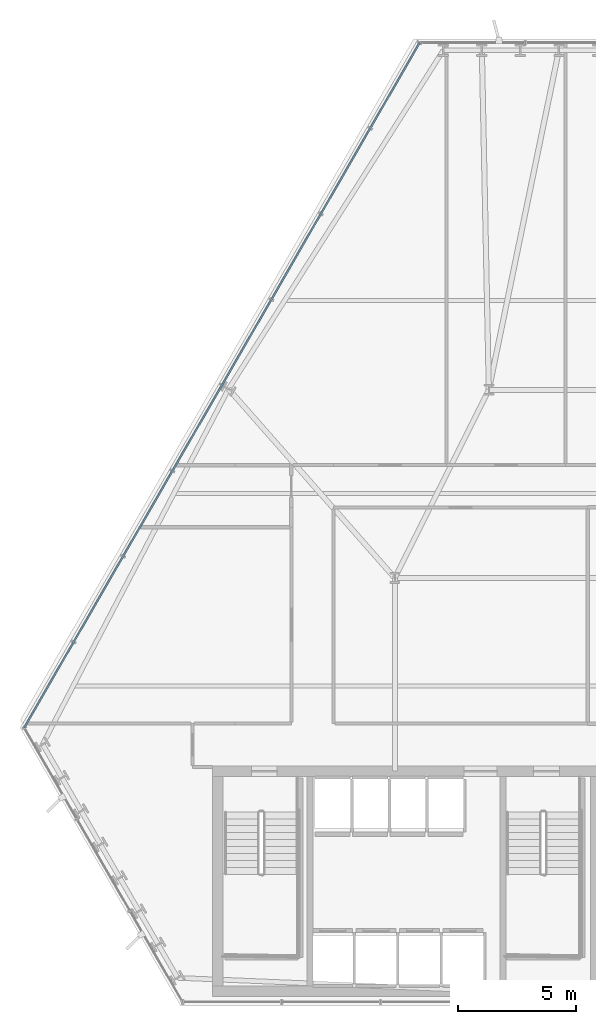
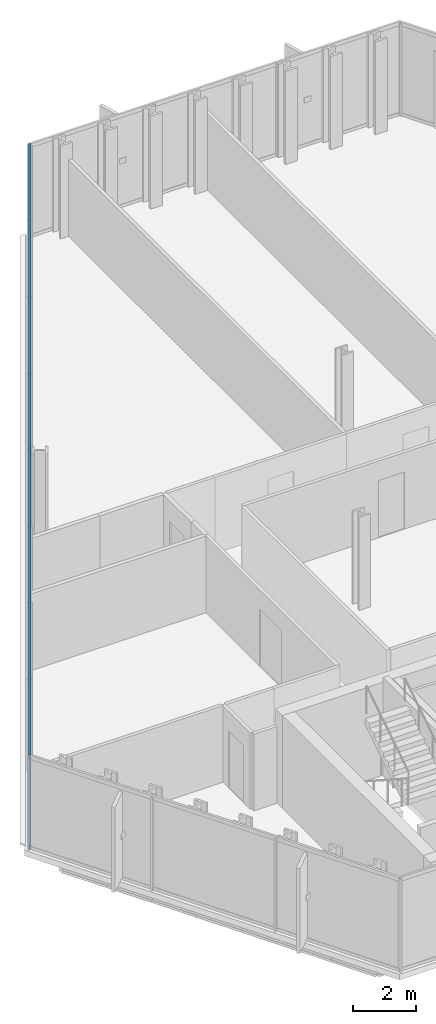
# One storey, part 12 of 31: 2 members, 1 element without a shape of its own.
"""IFC4 building model written with IfcOpenShell, lengths in metres."""

from ifc_helpers import new_model, si_unit, direction, frame, origin, origin_2d, place, context, subcontext, project, spatial, hollow_rectangle, extrude, material, layer, layer_set, material_profile, profile_set, type_object, element, aggregate, save


model = new_model("IFC4")

# Units and contexts
model_context = context("Model", 3, precision=1e-05, world=origin(), true_north=direction((0.0, 1.0)))
body_context = subcontext(model_context, "Body", "Model", "MODEL_VIEW")
ifc_project = project(units=[si_unit("LENGTHUNIT", "METRE"), si_unit("AREAUNIT", "SQUARE_METRE"), si_unit("VOLUMEUNIT", "CUBIC_METRE"), si_unit("PLANEANGLEUNIT", "RADIAN"), si_unit("MASSUNIT", "GRAM", prefix="KILO")], contexts=[model_context])

# Site, building, storey
site_placement = place(None, origin())
site = spatial("IfcSite", under=ifc_project, at=site_placement, CompositionType="ELEMENT")
building_placement = place(site_placement, origin())
building = spatial("IfcBuilding", under=site, at=building_placement, Name="Ndaravel Arena Tower", CompositionType="ELEMENT")
storey_placement = place(building_placement, frame((0.0, 0.0, 100.60009765625)))
storey = spatial("IfcBuildingStorey", under=building, at=storey_placement, Name="L23", CompositionType="ELEMENT", Elevation=100.60009765625)

# Curtain wall, members
ifc_material_1 = material(Name="Aluminium", Category="aluminium")
ifc_layer = layer(ifc_material_1, 0.179931640625)
ifc_layer_set = layer_set([ifc_layer], Name="Aluminium")
curtain_wall_type = type_object("IfcCurtainWallType", Name="CW-SYS-03", PredefinedType="NOTDEFINED", material=ifc_layer_set)
curtain_wall_placement = place(storey_placement, origin())
curtain_wall = element("IfcCurtainWall", 1, at=curtain_wall_placement, inside=storey, type_object=curtain_wall_type, Name="L23 Faceted Crystal Curtain Wall CW-L23-E05", PredefinedType="NOTDEFINED")
ifc_material_2 = material(Name="Aluminium", Category="aluminium")
ifc_material_profile = material_profile(ifc_material_2, hollow_rectangle(XDim=0.074951171875, YDim=0.14990234375, WallThickness=0.00390625, at=origin_2d()), Name="CW TRANSOM 75x150x4")
ifc_profile_set = profile_set([ifc_material_profile], Name="Aluminium")
member_type = type_object("IfcMemberType", Name="MEM-CW-TRN150", PredefinedType="USERDEFINED", material=ifc_profile_set)
member_1_placement = place(storey_placement, frame((35.2607421875, 45.962646484375, 0.039794921875), z_axis=(-0.49999932107, -0.866025795764, 0.0), x_axis=(0.866025795764, -0.49999932107, 0.0)))
member_1 = element("IfcMember", 2, at=member_1_placement, type_object=member_type, Name="CW-L23-E05 Transom 01", ObjectType="TRANSOM", PredefinedType="USERDEFINED", context=body_context, shape_type="SweptSolid", body=[
    extrude(hollow_rectangle(XDim=0.074951171875, YDim=0.14990234375, WallThickness=0.00390625, at=origin_2d()), origin(), (0.0, 0.0, 1.0), 33.63623046875),
])
member_2_placement = place(storey_placement, frame((35.2607421875, 45.962646484375, 3.539794921875), z_axis=(-0.49999932107, -0.866025795764, 0.0), x_axis=(0.866025795764, -0.49999932107, 0.0)))
member_2 = element("IfcMember", 3, at=member_2_placement, type_object=member_type, Name="CW-L23-E05 Transom 02", ObjectType="TRANSOM", PredefinedType="USERDEFINED", context=body_context, shape_type="SweptSolid", body=[
    extrude(hollow_rectangle(XDim=0.074951171875, YDim=0.14990234375, WallThickness=0.00390625, at=origin_2d()), origin(), (0.0, 0.0, 1.0), 33.63623046875),
])
aggregate(curtain_wall, [member_1, member_2])

save(model, "model.ifc")
